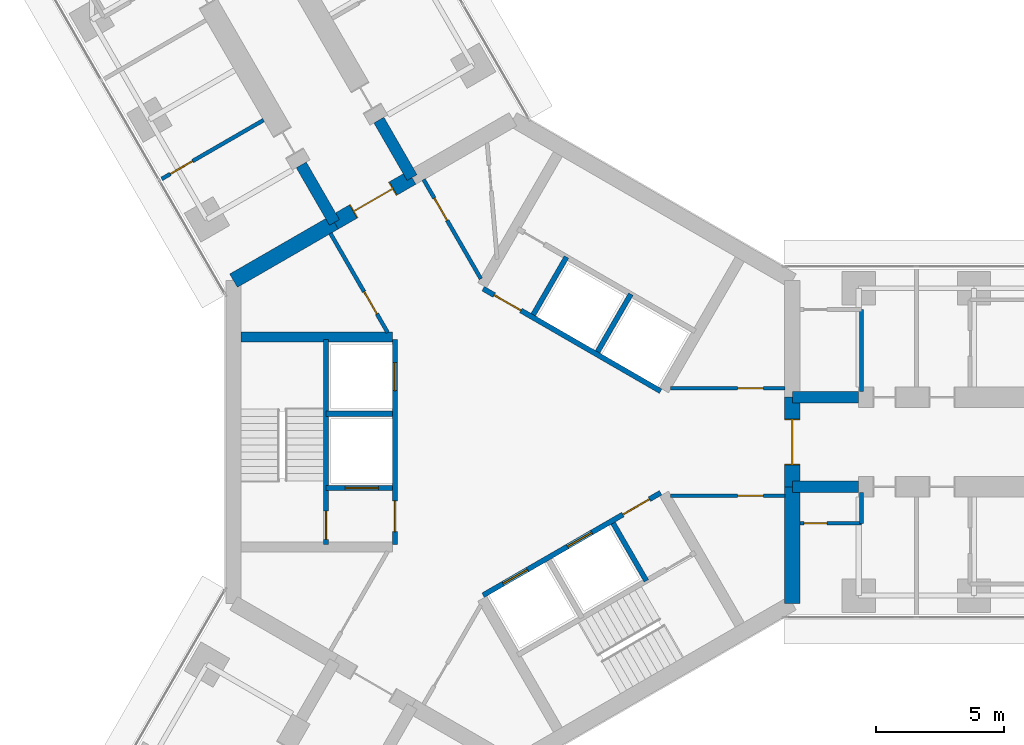
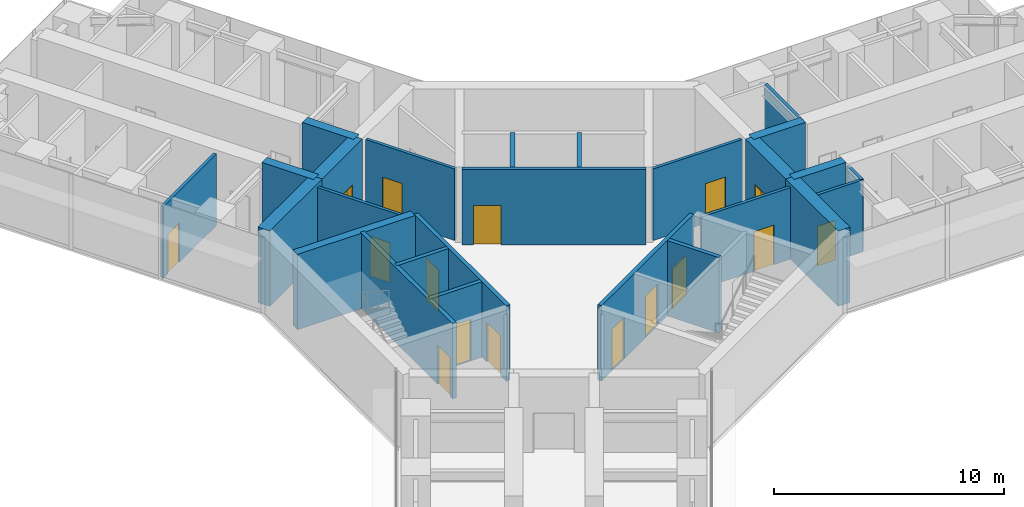
# One storey, part 16 of 22: 26 walls, 16 doors, 16 openings.
"""IFC4 building model written with IfcOpenShell, lengths in metres."""

import ifcopenshell
import ifcopenshell.guid

model = None  # the IFC model being written
_history = None  # IfcOwnerHistory: only IFC2X3 demands one
_inside = {}  # id of a spatial element -> (the spatial element, [elements in it])
_under = {}  # id of a project, library or spatial element -> (it, [spatial elements below it])
_declared = {}  # id of a project -> (the project, [libraries it declares])
_typed = {}  # id of a type object -> (the type object, [elements of that type])
_made_of = {}  # id of a material, layer set ... -> (it, [elements and type objects made of it])


def new_model(schema):
    """Start an empty IFC model of exactly this schema.

    Asked for "IFC4X3", IfcOpenShell would pick the latest addendum, in which some entities
    have other attributes; the version numbers below select the first issue.
    IFC2X3 requires an IfcOwnerHistory on every rooted entity: one is made here for all.
    """
    global model, _history
    if schema == "IFC4X3":
        model = ifcopenshell.file(schema_version=(4, 3, 0, 0))
    else:
        model = ifcopenshell.file(schema=schema)
    _inside.clear()
    _under.clear()
    _declared.clear()
    _typed.clear()
    _made_of.clear()
    _history = None
    if model.schema == "IFC2X3":
        org = make("IfcOrganization", Name="unknown")
        user = make(
            "IfcPersonAndOrganization",
            ThePerson=make("IfcPerson", FamilyName="unknown"),
            TheOrganization=org,
        )
        app = make(
            "IfcApplication",
            ApplicationDeveloper=org,
            Version="unknown",
            ApplicationFullName="unknown",
            ApplicationIdentifier="unknown",
        )
        _history = make(
            "IfcOwnerHistory",
            OwningUser=user,
            OwningApplication=app,
            ChangeAction="ADDED",
            CreationDate=0,
        )
    return model


def make(cls, **values):
    """One entity of the class cls with the attributes given. An attribute that is None is left unset."""
    return model.create_entity(
        cls, **{name: value for name, value in values.items() if value is not None}
    )


def rooted(cls, **values):
    """An entity with a GlobalId (a new one), such as an element, a storey or a relation."""
    return make(cls, GlobalId=ifcopenshell.guid.new(), OwnerHistory=_history, **values)


def si_unit(unit_type, name, prefix=None):
    """IfcSIUnit, for example si_unit("LENGTHUNIT", "METRE", prefix="MILLI")."""
    return make("IfcSIUnit", UnitType=unit_type, Prefix=prefix, Name=name)


def assignment(units):
    """IfcUnitAssignment: the units of a project."""
    return None if units is None else make("IfcUnitAssignment", Units=units)


def point(xyz):
    """IfcCartesianPoint."""
    return None if xyz is None else make("IfcCartesianPoint", Coordinates=xyz)


def direction(xyz):
    """IfcDirection."""
    return None if xyz is None else make("IfcDirection", DirectionRatios=xyz)


def frame(location, z_axis=None, x_axis=None):
    """IfcAxis2Placement3D, a coordinate frame: its origin and axes. An axis left out is left unset."""
    return make(
        "IfcAxis2Placement3D",
        Location=point(location),
        Axis=direction(z_axis),
        RefDirection=direction(x_axis),
    )


def frame_2d(location, x_axis=None):
    """IfcAxis2Placement2D, a coordinate frame in the plane: its origin and x axis."""
    return make(
        "IfcAxis2Placement2D", Location=point(location), RefDirection=direction(x_axis)
    )


def origin():
    """The frame at (0, 0, 0) with its axes left unset."""
    return frame((0.0, 0.0, 0.0))


def place(relative_to, where):
    """IfcLocalPlacement: puts the frame where relative to a parent placement (None: the world)."""
    return make(
        "IfcLocalPlacement", PlacementRelTo=relative_to, RelativePlacement=where
    )


def context(
    kind, dimensions, precision=None, world=None, true_north=None, identifier=None
):
    """IfcGeometricRepresentationContext, for example the 3D "Model" context."""
    return make(
        "IfcGeometricRepresentationContext",
        ContextIdentifier=identifier,
        ContextType=kind,
        CoordinateSpaceDimension=dimensions,
        Precision=precision,
        WorldCoordinateSystem=world,
        TrueNorth=true_north,
    )


def subcontext(parent, identifier, kind, view, scale=None):
    """IfcGeometricRepresentationSubContext, for example "Body" below "Model"."""
    return make(
        "IfcGeometricRepresentationSubContext",
        ContextIdentifier=identifier,
        ContextType=kind,
        ParentContext=parent,
        TargetScale=scale,
        TargetView=view,
    )


def project(units=None, contexts=None):
    """IfcProject with its units and contexts."""
    return rooted(
        "IfcProject",
        Name="project",
        RepresentationContexts=contexts,
        UnitsInContext=assignment(units),
    )


def spatial(cls, under=None, at=None, **own):
    """A site, building, storey or space (cls), placed at a placement, below another one or the project."""
    s = rooted(cls, ObjectPlacement=at, **own)
    if under is not None:
        _under.setdefault(under.id(), (under, []))[1].append(s)
    return s


def profile(cls, at=None, kind="AREA", **sizes):
    """A parametric profile (cls). Its sizes go by their IFC names, for example OverallWidth=200.0."""
    return make(cls, ProfileType=kind, Position=at, **sizes)


def rectangle(**sizes):
    """IfcRectangleProfileDef."""
    return profile("IfcRectangleProfileDef", **sizes)


def extrude(swept, where, along, depth):
    """IfcExtrudedAreaSolid: the profile swept, set in the frame where, extruded along a direction by depth."""
    return make(
        "IfcExtrudedAreaSolid",
        SweptArea=swept,
        Position=where,
        ExtrudedDirection=direction(along),
        Depth=depth,
    )


def shape(context_of_items, identifier, shape_type, items):
    """IfcShapeRepresentation: the items that make up one representation, for example the "Body"."""
    return make(
        "IfcShapeRepresentation",
        ContextOfItems=context_of_items,
        RepresentationIdentifier=identifier,
        RepresentationType=shape_type,
        Items=items,
    )


def material(Name=None, Category=None):
    """IfcMaterial."""
    return make("IfcMaterial", Name=Name, Category=Category)


def layer(
    of_material, thickness, ventilated=None, Name=None, Category=None, Priority=None
):
    """IfcMaterialLayer: one layer of a wall or slab, of a material (None: an air gap)."""
    return make(
        "IfcMaterialLayer",
        Material=of_material,
        LayerThickness=thickness,
        IsVentilated=ventilated,
        Name=Name,
        Category=Category,
        Priority=Priority,
    )


def layer_set(layers, Name=None):
    """IfcMaterialLayerSet."""
    return make("IfcMaterialLayerSet", MaterialLayers=layers, LayerSetName=Name)


def made_of(thing, what):
    """Note that an element or type object is made of a material, layer set ...; save() writes the relation."""
    if what is not None:
        _made_of.setdefault(what.id(), (what, []))[1].append(thing)
    return thing


def type_object(cls, material=None, **own):
    """A type object (cls), such as IfcWallType, which elements share."""
    return made_of(rooted(cls, **own), material)


def element(
    cls,
    number,
    at=None,
    inside=None,
    cuts=None,
    type_object=None,
    material=None,
    context=None,
    identifier="Body",
    shape_type=None,
    held_by="IfcProductDefinitionShape",
    body=None,
    shapes=None,
    **own,
):
    """One element of the class cls, such as IfcWall. Its Tag is "e" and its number.

    at: its placement. inside: the storey or other place that contains it. cuts: it is an
    opening in that element (IfcRelVoidsElement). A single representation is given by context,
    identifier, shape_type and body (its items); several are given by shapes. held_by: the class
    of the entity that holds the representations. save() writes the other relations.
    """
    e = rooted(cls, Tag="e%d" % number, ObjectPlacement=at, **own)
    if body is not None:
        shapes = [shape(context, identifier, shape_type, body)]
    if shapes is not None:
        e.Representation = make(held_by, Representations=shapes)
    if inside is not None:
        _inside.setdefault(inside.id(), (inside, []))[1].append(e)
    if cuts is not None:
        rooted(
            "IfcRelVoidsElement", RelatingBuildingElement=cuts, RelatedOpeningElement=e
        )
    if type_object is not None:
        _typed.setdefault(type_object.id(), (type_object, []))[1].append(e)
    return made_of(e, material)


def fill(opening, filler):
    """IfcRelFillsElement: the door or window that sits in an opening."""
    return rooted(
        "IfcRelFillsElement",
        RelatingOpeningElement=opening,
        RelatedBuildingElement=filler,
    )


def aggregate(whole, parts):
    """IfcRelAggregates: a whole, such as a stair, and the parts it consists of."""
    return rooted("IfcRelAggregates", RelatingObject=whole, RelatedObjects=parts)


def save(model, path):
    """Write the relations noted so far, then the file.

    IfcRelAggregates (storeys below a building ...), IfcRelContainedInSpatialStructure (elements
    in a storey), IfcRelDefinesByType, IfcRelAssociatesMaterial and IfcRelDeclares: one each for
    every whole, place, type object, material and project.
    """
    for whole, parts in _under.values():
        aggregate(whole, parts)
    for where, things in _inside.values():
        rooted(
            "IfcRelContainedInSpatialStructure",
            RelatedElements=things,
            RelatingStructure=where,
        )
    for kind, things in _typed.values():
        rooted("IfcRelDefinesByType", RelatedObjects=things, RelatingType=kind)
    for what, things in _made_of.values():
        rooted("IfcRelAssociatesMaterial", RelatedObjects=things, RelatingMaterial=what)
    for by, libraries in _declared.values():
        rooted("IfcRelDeclares", RelatingContext=by, RelatedDefinitions=libraries)
    model.write(path)


model = new_model("IFC4")

# Units and contexts
model_context = context("Model", 3, precision=1e-05, world=origin(), true_north=direction((0.0, 1.0)))
body_context = subcontext(model_context, "Body", "Model", "MODEL_VIEW")
ifc_project = project(units=[si_unit("LENGTHUNIT", "METRE"), si_unit("AREAUNIT", "SQUARE_METRE"), si_unit("VOLUMEUNIT", "CUBIC_METRE"), si_unit("PLANEANGLEUNIT", "RADIAN"), si_unit("MASSUNIT", "GRAM", prefix="KILO")], contexts=[model_context])

# Site, building, storey
site_placement = place(None, origin())
site = spatial("IfcSite", under=ifc_project, at=site_placement, CompositionType="ELEMENT")
building_placement = place(site_placement, origin())
building = spatial("IfcBuilding", under=site, at=building_placement, Name="Upepo Twin Towers", CompositionType="ELEMENT")
storey_placement = place(building_placement, frame((0.0, 0.0, 137.5)))
storey = spatial("IfcBuildingStorey", under=building, at=storey_placement, Name="L33", CompositionType="ELEMENT", Elevation=137.5)

# Walls
ifc_material_1 = material(Name="Concrete C60/75", Category="concrete")
ifc_layer_1 = layer(ifc_material_1, 0.449951171875)
ifc_layer_set_1 = layer_set([ifc_layer_1], Name="Concrete C60/75")
wall_type_1 = type_object("IfcWallType", Name="Buttress wall 450 RC", PredefinedType="SHEAR", material=ifc_layer_set_1)
for number, where, z_axis, x_axis, name in (
    (1, (10.908447265625, 1.75, 0.0), (0.0, 0.0, 1.0), (1.0, 0.0, 0.0), "T1 wing A buttress wall L"),
    (2, (10.908447265625, -1.75, 0.0), (0.0, 0.0, 1.0), (1.0, 0.0, 0.0), "T1 wing A buttress wall R"),
):
    element("IfcWall", number, at=place(storey_placement, frame(where, z_axis=z_axis, x_axis=x_axis)), inside=storey, type_object=wall_type_1, Name=name, PredefinedType="SHEAR", context=body_context, shape_type="SweptSolid", body=[
        extrude(rectangle(XDim=2.591552734375, YDim=0.449951171875, at=frame_2d((1.2958984375, 0.0))), origin(), (0.0, 0.0, 1.0), 4.0),
    ])
for number, where, z_axis, x_axis, name in (
    (3, (-6.9697265625, 8.57177734375, 0.0), (0.0, 0.0, 1.0), (-0.499988811324, 0.866031863473, 0.0), "T1 wing B buttress wall L"),
    (4, (-3.938720703125, 10.32177734375, 0.0), (0.0, 0.0, 1.0), (-0.499918158782, 0.866072649678, 0.0), "T1 wing B buttress wall R"),
):
    element("IfcWall", number, at=place(storey_placement, frame(where, z_axis=z_axis, x_axis=x_axis)), inside=storey, type_object=wall_type_1, Name=name, PredefinedType="SHEAR", context=body_context, shape_type="SweptSolid", body=[
        extrude(rectangle(XDim=2.591796875, YDim=0.449951171875, at=frame_2d((1.2958984375, 0.0))), origin(), (0.0, 0.0, 1.0), 4.0),
    ])
ifc_material_2 = material(Name="Concrete C60/75", Category="concrete")
ifc_layer_2 = layer(ifc_material_2, 0.60009765625)
ifc_layer_set_2 = layer_set([ifc_layer_2], Name="Concrete C60/75")
wall_type_2 = type_object("IfcWallType", Name="Core wall 600 RC", PredefinedType="SHEAR", material=ifc_layer_set_2)
wall_1_placement = place(storey_placement, frame((10.908447265625, -6.2978515625, 0.0), z_axis=(0.0, 0.0, 1.0), x_axis=(0.0, 1.0, 0.0)))
element("IfcWall", 5, at=wall_1_placement, inside=storey, type_object=wall_type_2, Name="T1 core wall 000 R", PredefinedType="SHEAR", context=body_context, shape_type="SweptSolid", body=[
    extrude(rectangle(XDim=4.5478515625, YDim=0.60009765625, at=frame_2d((2.27392578125, 0.0))), origin(), (0.0, 0.0, 1.0), 4.0),
])

# Wall, opening, door
wall_2_placement = place(storey_placement, frame((10.908447265625, -1.75, 0.0), z_axis=(0.0, 0.0, 1.0), x_axis=(0.0, 1.0, 0.0)))
wall_2 = element("IfcWall", 6, at=wall_2_placement, inside=storey, type_object=wall_type_2, Name="T1 core wall 000", PredefinedType="SHEAR", context=body_context, shape_type="SweptSolid", body=[
    extrude(rectangle(XDim=3.5, YDim=0.60009765625, at=frame_2d((1.75, 0.0))), origin(), (0.0, 0.0, 1.0), 4.0),
])
opening_1_placement = place(wall_2_placement, frame((0.85009765625, 0.0, 0.0)))
opening_1 = element("IfcOpeningElement", 7, at=opening_1_placement, cuts=wall_2, Name="Opening D2", PredefinedType="OPENING", context=body_context, shape_type="SweptSolid", body=[
    extrude(rectangle(XDim=1.800048828125, YDim=2.10009765625, at=frame_2d((0.89990234375, 1.050048828125))), frame((0.0, 0.31005859375, 0.0), z_axis=(0.0, -1.0, 0.0), x_axis=(1.0, 0.0, 0.0)), (0.0, 0.0, 1.0), 0.6201171875),
])
ifc_material_3 = material(Name="Timber doorset", Category="wood")
door_type_1 = type_object("IfcDoorType", Name="Corridor double door 1800 FD60", OperationType="DOUBLE_DOOR_DOUBLE_SWING", PredefinedType="DOOR", material=ifc_material_3)
door_1_placement = place(opening_1_placement, origin())
door_1 = element("IfcDoor", 8, at=door_1_placement, inside=storey, type_object=door_type_1, Name="T1 L33 wing A corridor door", OperationType="DOUBLE_DOOR_DOUBLE_SWING", OverallHeight=2.10009765625, OverallWidth=1.800048828125, PredefinedType="DOOR", context=body_context, shape_type="SweptSolid", body=[
    extrude(rectangle(XDim=1.720048828125, YDim=2.06009765625, at=frame_2d((0.89990234375, 1.030029296875))), frame((0.0, 0.02490234375, 0.0), z_axis=(0.0, -1.0, 0.0), x_axis=(1.0, 0.0, 0.0)), (0.0, 0.0, 1.0), 0.050048828125),
    extrude(rectangle(XDim=0.04, YDim=2.10009765625, at=frame_2d((0.02001953125, 1.050048828125))), frame((0.0, 0.2998046875, 0.0), z_axis=(0.0, -1.0, 0.0), x_axis=(1.0, 0.0, 0.0)), (0.0, 0.0, 1.0), 0.599609375),
    extrude(rectangle(XDim=0.04, YDim=2.10009765625, at=frame_2d((1.780029296875, 1.050048828125))), frame((0.0, 0.2998046875, 0.0), z_axis=(0.0, -1.0, 0.0), x_axis=(1.0, 0.0, 0.0)), (0.0, 0.0, 1.0), 0.599609375),
    extrude(rectangle(XDim=1.720048828125, YDim=0.04, at=frame_2d((0.89990234375, 2.080078125))), frame((0.0, 0.2998046875, 0.0), z_axis=(0.0, -1.0, 0.0), x_axis=(1.0, 0.0, 0.0)), (0.0, 0.0, 1.0), 0.599609375),
])
fill(opening_1, door_1)

wall_3_placement = place(storey_placement, frame((-3.938720703125, 10.32177734375, 0.0), z_axis=(0.0, 0.0, 1.0), x_axis=(-0.866019471182, -0.500010275428, 0.0)))
wall_3 = element("IfcWall", 9, at=wall_3_placement, inside=storey, type_object=wall_type_2, Name="T1 core wall 120", PredefinedType="SHEAR", context=body_context, shape_type="SweptSolid", body=[
    extrude(rectangle(XDim=3.5, YDim=0.60009765625, at=frame_2d((1.75, 0.0))), origin(), (0.0, 0.0, 1.0), 4.0),
])
opening_2_placement = place(wall_3_placement, frame((0.85009765625, 0.0, 0.0)))
opening_2 = element("IfcOpeningElement", 10, at=opening_2_placement, cuts=wall_3, Name="Opening D2", PredefinedType="OPENING", context=body_context, shape_type="SweptSolid", body=[
    extrude(rectangle(XDim=1.800048828125, YDim=2.10009765625, at=frame_2d((0.89990234375, 1.050048828125))), frame((0.0, 0.31005859375, 0.0), z_axis=(0.0, -1.0, 0.0), x_axis=(1.0, 0.0, 0.0)), (0.0, 0.0, 1.0), 0.6201171875),
])
door_2_placement = place(opening_2_placement, origin())
door_2 = element("IfcDoor", 11, at=door_2_placement, inside=storey, type_object=door_type_1, Name="T1 L33 wing B corridor door", OperationType="DOUBLE_DOOR_DOUBLE_SWING", OverallHeight=2.10009765625, OverallWidth=1.800048828125, PredefinedType="DOOR", context=body_context, shape_type="SweptSolid", body=[
    extrude(rectangle(XDim=1.720048828125, YDim=2.06009765625, at=frame_2d((0.89990234375, 1.030029296875))), frame((0.0, 0.02490234375, 0.0), z_axis=(0.0, -1.0, 0.0), x_axis=(1.0, 0.0, 0.0)), (0.0, 0.0, 1.0), 0.050048828125),
    extrude(rectangle(XDim=0.04, YDim=2.10009765625, at=frame_2d((0.02001953125, 1.050048828125))), frame((0.0, 0.2998046875, 0.0), z_axis=(0.0, -1.0, 0.0), x_axis=(1.0, 0.0, 0.0)), (0.0, 0.0, 1.0), 0.599609375),
    extrude(rectangle(XDim=0.04, YDim=2.10009765625, at=frame_2d((1.780029296875, 1.050048828125))), frame((0.0, 0.2998046875, 0.0), z_axis=(0.0, -1.0, 0.0), x_axis=(1.0, 0.0, 0.0)), (0.0, 0.0, 1.0), 0.599609375),
    extrude(rectangle(XDim=1.720048828125, YDim=0.04, at=frame_2d((0.89990234375, 2.080078125))), frame((0.0, 0.2998046875, 0.0), z_axis=(0.0, -1.0, 0.0), x_axis=(1.0, 0.0, 0.0)), (0.0, 0.0, 1.0), 0.599609375),
])
fill(opening_2, door_2)

# Wall
wall_4_placement = place(storey_placement, frame((-6.9697265625, 8.57177734375, 0.0), z_axis=(0.0, 0.0, 1.0), x_axis=(-0.866034513004, -0.499984222037, 0.0)))
element("IfcWall", 12, at=wall_4_placement, inside=storey, type_object=wall_type_2, Name="T1 core wall 120 L", PredefinedType="SHEAR", context=body_context, shape_type="SweptSolid", body=[
    extrude(rectangle(XDim=4.548095703125, YDim=0.60009765625, at=frame_2d((2.27392578125, 0.0))), origin(), (0.0, 0.0, 1.0), 4.0),
])

# Wall, opening, door
ifc_material_4 = material(Name="Concrete C40/50", Category="concrete")
ifc_layer_3 = layer(ifc_material_4, 0.199951171875)
ifc_layer_set_3 = layer_set([ifc_layer_3], Name="Concrete C40/50")
wall_type_3 = type_object("IfcWallType", Name="Shaft wall 200 RC", PredefinedType="SHEAR", material=ifc_layer_set_3)
wall_5_placement = place(storey_placement, frame((5.76416015625, 1.983642578125, 0.0), z_axis=(0.0, 0.0, 1.0), x_axis=(-0.866026010844, 0.49999894854, 0.0)))
wall_5 = element("IfcWall", 13, at=wall_5_placement, inside=storey, type_object=wall_type_3, Name="T1 core W60 front wall", PredefinedType="SHEAR", context=body_context, shape_type="SweptSolid", body=[
    extrude(rectangle(XDim=8.0, YDim=0.199951171875, at=frame_2d((4.0, 0.0))), origin(), (0.0, 0.0, 1.0), 4.0),
])
opening_3_placement = place(wall_5_placement, frame((6.300048828125, 0.0, 0.0)))
opening_3 = element("IfcOpeningElement", 14, at=opening_3_placement, cuts=wall_5, Name="Opening D4", PredefinedType="OPENING", context=body_context, shape_type="SweptSolid", body=[
    extrude(rectangle(XDim=1.199951171875, YDim=2.10009765625, at=frame_2d((0.60009765625, 1.050048828125))), frame((0.0, 0.10986328125, 0.0), z_axis=(0.0, -1.0, 0.0), x_axis=(1.0, 0.0, 0.0)), (0.0, 0.0, 1.0), 0.219970703125),
])
ifc_material_5 = material(Name="Timber doorset", Category="wood")
door_type_2 = type_object("IfcDoorType", Name="Lobby door 1200 FD60", OperationType="SINGLE_SWING_LEFT", PredefinedType="DOOR", material=ifc_material_5)
door_3_placement = place(opening_3_placement, origin())
door_3 = element("IfcDoor", 15, at=door_3_placement, inside=storey, type_object=door_type_2, Name="T1 L33 W60 lobby door", OperationType="SINGLE_SWING_RIGHT", OverallHeight=2.10009765625, OverallWidth=1.199951171875, PredefinedType="DOOR", context=body_context, shape_type="SweptSolid", body=[
    extrude(rectangle(XDim=1.199951171875, YDim=2.10009765625, at=frame_2d((0.60009765625, 1.050048828125))), frame((0.0, 0.02490234375, 0.0), z_axis=(0.0, -1.0, 0.0), x_axis=(1.0, 0.0, 0.0)), (0.0, 0.0, 1.0), 0.050048828125),
])
fill(opening_3, door_3)

# Walls
for number, where, z_axis, x_axis, name in (
    (16, (3.302734375, 3.520263671875, 0.0), (0.0, 0.0, 1.0), (0.499936506574, 0.866062058628, 0.0), "T1 core W60 shaft divider"),
    (17, (0.791259765625, 4.97021484375, 0.0), (0.0, 0.0, 1.0), (0.499936506574, 0.866062058628, 0.0), "T1 core W60 lobby wall"),
):
    element("IfcWall", number, at=place(storey_placement, frame(where, z_axis=z_axis, x_axis=x_axis)), inside=storey, type_object=wall_type_3, Name=name, PredefinedType="SHEAR", context=body_context, shape_type="SweptSolid", body=[
        extrude(rectangle(XDim=2.599853515625, YDim=0.199951171875, at=frame_2d((1.2998046875, 0.0))), origin(), (0.0, 0.0, 1.0), 4.0),
    ])

# Wall, openings, doors
wall_6_placement = place(storey_placement, frame((-4.60009765625, 4.0, 0.0), z_axis=(0.0, 0.0, 1.0), x_axis=(0.0, -1.0, 0.0)))
wall_6 = element("IfcWall", 18, at=wall_6_placement, inside=storey, type_object=wall_type_3, Name="T1 core W180 front wall", PredefinedType="SHEAR", context=body_context, shape_type="SweptSolid", body=[
    extrude(rectangle(XDim=8.0, YDim=0.199951171875, at=frame_2d((4.0, 0.0))), origin(), (0.0, 0.0, 1.0), 4.0),
])
opening_4_placement = place(wall_6_placement, frame((6.300048828125, 0.0, 0.0)))
opening_4 = element("IfcOpeningElement", 19, at=opening_4_placement, cuts=wall_6, Name="Opening D4", PredefinedType="OPENING", context=body_context, shape_type="SweptSolid", body=[
    extrude(rectangle(XDim=1.199951171875, YDim=2.10009765625, at=frame_2d((0.60009765625, 1.050048828125))), frame((0.0, 0.10986328125, 0.0), z_axis=(0.0, -1.0, 0.0), x_axis=(1.0, 0.0, 0.0)), (0.0, 0.0, 1.0), 0.219970703125),
])
opening_5_placement = place(wall_6_placement, frame((0.89990234375, 0.0, 0.0)))
opening_5 = element("IfcOpeningElement", 20, at=opening_5_placement, cuts=wall_6, Name="Opening LD1", PredefinedType="OPENING", context=body_context, shape_type="SweptSolid", body=[
    extrude(rectangle(XDim=1.10009765625, YDim=2.199951171875, at=frame_2d((0.550048828125, 1.10009765625))), frame((0.0, 0.10986328125, 0.0), z_axis=(0.0, -1.0, 0.0), x_axis=(1.0, 0.0, 0.0)), (0.0, 0.0, 1.0), 0.219970703125),
])
ifc_material_6 = material(Name="Steel doorset", Category="steel")
door_type_3 = type_object("IfcDoorType", Name="Lift landing door 1100", OperationType="DOUBLE_DOOR_SLIDING", PredefinedType="DOOR", material=ifc_material_6)
door_4_placement = place(opening_5_placement, origin())
door_4 = element("IfcDoor", 21, at=door_4_placement, inside=storey, type_object=door_type_3, Name="T1 L33 lift SV1 landing door", OperationType="DOUBLE_DOOR_SLIDING", OverallHeight=2.199951171875, OverallWidth=1.10009765625, PredefinedType="DOOR", context=body_context, shape_type="SweptSolid", body=[
    extrude(rectangle(XDim=1.10009765625, YDim=2.199951171875, at=frame_2d((0.550048828125, 1.10009765625))), frame((0.0, 0.02490234375, 0.0), z_axis=(0.0, -1.0, 0.0), x_axis=(1.0, 0.0, 0.0)), (0.0, 0.0, 1.0), 0.050048828125),
])
fill(opening_5, door_4)
door_5_placement = place(opening_4_placement, origin())
door_5 = element("IfcDoor", 22, at=door_5_placement, inside=storey, type_object=door_type_2, Name="T1 L33 W180 lobby door", OperationType="SINGLE_SWING_RIGHT", OverallHeight=2.10009765625, OverallWidth=1.199951171875, PredefinedType="DOOR", context=body_context, shape_type="SweptSolid", body=[
    extrude(rectangle(XDim=1.199951171875, YDim=2.10009765625, at=frame_2d((0.60009765625, 1.050048828125))), frame((0.0, 0.02490234375, 0.0), z_axis=(0.0, -1.0, 0.0), x_axis=(1.0, 0.0, 0.0)), (0.0, 0.0, 1.0), 0.050048828125),
])
fill(opening_4, door_5)

# Wall
wall_7_placement = place(storey_placement, frame((-4.699951171875, 1.10009765625, 0.0), z_axis=(0.0, 0.0, 1.0), x_axis=(-1.0, 0.0, 0.0)))
element("IfcWall", 23, at=wall_7_placement, inside=storey, type_object=wall_type_3, Name="T1 core W180 shaft divider", PredefinedType="SHEAR", context=body_context, shape_type="SweptSolid", body=[
    extrude(rectangle(XDim=2.60009765625, YDim=0.199951171875, at=frame_2d((1.300048828125, 0.0))), origin(), (0.0, 0.0, 1.0), 4.0),
])

# Wall, opening, door
wall_8_placement = place(storey_placement, frame((-4.699951171875, -1.800048828125, 0.0), z_axis=(0.0, 0.0, 1.0), x_axis=(-1.0, 0.0, 0.0)))
wall_8 = element("IfcWall", 24, at=wall_8_placement, inside=storey, type_object=wall_type_3, Name="T1 core W180 lobby wall", PredefinedType="SHEAR", context=body_context, shape_type="SweptSolid", body=[
    extrude(rectangle(XDim=2.60009765625, YDim=0.199951171875, at=frame_2d((1.300048828125, 0.0))), origin(), (0.0, 0.0, 1.0), 4.0),
])
opening_6_placement = place(wall_8_placement, frame((0.550048828125, 0.0, 0.0)))
opening_6 = element("IfcOpeningElement", 25, at=opening_6_placement, cuts=wall_8, Name="Opening LD2", PredefinedType="OPENING", context=body_context, shape_type="SweptSolid", body=[
    extrude(rectangle(XDim=1.300048828125, YDim=2.199951171875, at=frame_2d((0.64990234375, 1.10009765625))), frame((0.0, 0.10986328125, 0.0), z_axis=(0.0, -1.0, 0.0), x_axis=(1.0, 0.0, 0.0)), (0.0, 0.0, 1.0), 0.219970703125),
])
ifc_material_7 = material(Name="Steel doorset", Category="steel")
door_type_4 = type_object("IfcDoorType", Name="Firefighting lift landing door 1300", OperationType="DOUBLE_DOOR_SLIDING", PredefinedType="DOOR", material=ifc_material_7)
door_6_placement = place(opening_6_placement, origin())
door_6 = element("IfcDoor", 26, at=door_6_placement, inside=storey, type_object=door_type_4, Name="T1 L33 firefighting lift landing door", OperationType="DOUBLE_DOOR_SLIDING", OverallHeight=2.199951171875, OverallWidth=1.300048828125, PredefinedType="DOOR", context=body_context, shape_type="SweptSolid", body=[
    extrude(rectangle(XDim=1.300048828125, YDim=2.199951171875, at=frame_2d((0.64990234375, 1.10009765625))), frame((0.0, 0.02490234375, 0.0), z_axis=(0.0, -1.0, 0.0), x_axis=(1.0, 0.0, 0.0)), (0.0, 0.0, 1.0), 0.050048828125),
])
fill(opening_6, door_6)

wall_9_placement = place(storey_placement, frame((-7.300048828125, 4.0, 0.0), z_axis=(0.0, 0.0, 1.0), x_axis=(0.0, -1.0, 0.0)))
wall_9 = element("IfcWall", 27, at=wall_9_placement, inside=storey, type_object=wall_type_3, Name="T1 core W180 stair wall", PredefinedType="SHEAR", context=body_context, shape_type="SweptSolid", body=[
    extrude(rectangle(XDim=8.0, YDim=0.199951171875, at=frame_2d((4.0, 0.0))), origin(), (0.0, 0.0, 1.0), 4.0),
])
opening_7_placement = place(wall_9_placement, frame((6.699951171875, 0.0, 0.0)))
opening_7 = element("IfcOpeningElement", 28, at=opening_7_placement, cuts=wall_9, Name="Opening D3", PredefinedType="OPENING", context=body_context, shape_type="SweptSolid", body=[
    extrude(rectangle(XDim=1.10009765625, YDim=2.10009765625, at=frame_2d((0.550048828125, 1.050048828125))), frame((0.0, 0.10986328125, 0.0), z_axis=(0.0, -1.0, 0.0), x_axis=(1.0, 0.0, 0.0)), (0.0, 0.0, 1.0), 0.219970703125),
])
ifc_material_8 = material(Name="Timber doorset", Category="wood")
door_type_5 = type_object("IfcDoorType", Name="Stair door 1100 FD60", OperationType="SINGLE_SWING_LEFT", PredefinedType="DOOR", material=ifc_material_8)
door_7_placement = place(opening_7_placement, origin())
door_7 = element("IfcDoor", 29, at=door_7_placement, inside=storey, type_object=door_type_5, Name="T1 L33 stair door", OperationType="SINGLE_SWING_RIGHT", OverallHeight=2.10009765625, OverallWidth=1.10009765625, PredefinedType="DOOR", context=body_context, shape_type="SweptSolid", body=[
    extrude(rectangle(XDim=1.10009765625, YDim=2.10009765625, at=frame_2d((0.550048828125, 1.050048828125))), frame((0.0, 0.02490234375, 0.0), z_axis=(0.0, -1.0, 0.0), x_axis=(1.0, 0.0, 0.0)), (0.0, 0.0, 1.0), 0.050048828125),
])
fill(opening_7, door_7)

# Wall, openings, doors
wall_10_placement = place(storey_placement, frame((-1.1640625, -5.983642578125, 0.0), z_axis=(0.0, 0.0, 1.0), x_axis=(0.866026010844, 0.49999894854, 0.0)))
wall_10 = element("IfcWall", 30, at=wall_10_placement, inside=storey, type_object=wall_type_3, Name="T1 core W300 front wall", PredefinedType="SHEAR", context=body_context, shape_type="SweptSolid", body=[
    extrude(rectangle(XDim=8.0, YDim=0.199951171875, at=frame_2d((4.0, 0.0))), origin(), (0.0, 0.0, 1.0), 4.0),
])
opening_8_placement = place(wall_10_placement, frame((6.300048828125, 0.0, 0.0)))
opening_8 = element("IfcOpeningElement", 31, at=opening_8_placement, cuts=wall_10, Name="Opening D4", PredefinedType="OPENING", context=body_context, shape_type="SweptSolid", body=[
    extrude(rectangle(XDim=1.199951171875, YDim=2.10009765625, at=frame_2d((0.60009765625, 1.050048828125))), frame((0.0, 0.10986328125, 0.0), z_axis=(0.0, -1.0, 0.0), x_axis=(1.0, 0.0, 0.0)), (0.0, 0.0, 1.0), 0.219970703125),
])
opening_9_placement = place(wall_10_placement, frame((0.89990234375, 0.0, 0.0)))
opening_9 = element("IfcOpeningElement", 32, at=opening_9_placement, cuts=wall_10, Name="Opening LD1", PredefinedType="OPENING", context=body_context, shape_type="SweptSolid", body=[
    extrude(rectangle(XDim=1.10009765625, YDim=2.199951171875, at=frame_2d((0.550048828125, 1.10009765625))), frame((0.0, 0.10986328125, 0.0), z_axis=(0.0, -1.0, 0.0), x_axis=(1.0, 0.0, 0.0)), (0.0, 0.0, 1.0), 0.219970703125),
])
opening_10_placement = place(wall_10_placement, frame((3.800048828125, 0.0, 0.0)))
opening_10 = element("IfcOpeningElement", 33, at=opening_10_placement, cuts=wall_10, Name="Opening LD1", PredefinedType="OPENING", context=body_context, shape_type="SweptSolid", body=[
    extrude(rectangle(XDim=1.10009765625, YDim=2.199951171875, at=frame_2d((0.550048828125, 1.10009765625))), frame((0.0, 0.10986328125, 0.0), z_axis=(0.0, -1.0, 0.0), x_axis=(1.0, 0.0, 0.0)), (0.0, 0.0, 1.0), 0.219970703125),
])
door_8_placement = place(opening_9_placement, origin())
door_8 = element("IfcDoor", 34, at=door_8_placement, inside=storey, type_object=door_type_3, Name="T1 L33 lift ML1 landing door", OperationType="DOUBLE_DOOR_SLIDING", OverallHeight=2.199951171875, OverallWidth=1.10009765625, PredefinedType="DOOR", context=body_context, shape_type="SweptSolid", body=[
    extrude(rectangle(XDim=1.10009765625, YDim=2.199951171875, at=frame_2d((0.550048828125, 1.10009765625))), frame((0.0, 0.02490234375, 0.0), z_axis=(0.0, -1.0, 0.0), x_axis=(1.0, 0.0, 0.0)), (0.0, 0.0, 1.0), 0.050048828125),
])
fill(opening_9, door_8)
door_9_placement = place(opening_10_placement, origin())
door_9 = element("IfcDoor", 35, at=door_9_placement, inside=storey, type_object=door_type_3, Name="T1 L33 lift ML2 landing door", OperationType="DOUBLE_DOOR_SLIDING", OverallHeight=2.199951171875, OverallWidth=1.10009765625, PredefinedType="DOOR", context=body_context, shape_type="SweptSolid", body=[
    extrude(rectangle(XDim=1.10009765625, YDim=2.199951171875, at=frame_2d((0.550048828125, 1.10009765625))), frame((0.0, 0.02490234375, 0.0), z_axis=(0.0, -1.0, 0.0), x_axis=(1.0, 0.0, 0.0)), (0.0, 0.0, 1.0), 0.050048828125),
])
fill(opening_10, door_9)
door_10_placement = place(opening_8_placement, origin())
door_10 = element("IfcDoor", 36, at=door_10_placement, inside=storey, type_object=door_type_2, Name="T1 L33 W300 lobby door", OperationType="SINGLE_SWING_RIGHT", OverallHeight=2.10009765625, OverallWidth=1.199951171875, PredefinedType="DOOR", context=body_context, shape_type="SweptSolid", body=[
    extrude(rectangle(XDim=1.199951171875, YDim=2.10009765625, at=frame_2d((0.60009765625, 1.050048828125))), frame((0.0, 0.02490234375, 0.0), z_axis=(0.0, -1.0, 0.0), x_axis=(1.0, 0.0, 0.0)), (0.0, 0.0, 1.0), 0.050048828125),
])
fill(opening_8, door_10)

# Walls
wall_11_placement = place(storey_placement, frame((3.908935546875, -3.17041015625, 0.0), z_axis=(0.0, 0.0, 1.0), x_axis=(0.49997716683, -0.86603858612, 0.0)))
element("IfcWall", 37, at=wall_11_placement, inside=storey, type_object=wall_type_3, Name="T1 core W300 lobby wall", PredefinedType="SHEAR", context=body_context, shape_type="SweptSolid", body=[
    extrude(rectangle(XDim=2.599609375, YDim=0.199951171875, at=frame_2d((1.2998046875, 0.0))), origin(), (0.0, 0.0, 1.0), 4.0),
])
ifc_material_9 = material(Name="Concrete C40/50", Category="concrete")
ifc_layer_4 = layer(ifc_material_9, 0.39990234375)
ifc_layer_set_4 = layer_set([ifc_layer_4], Name="Concrete C40/50")
wall_type_4 = type_object("IfcWallType", Name="Shaft wall 400 RC", PredefinedType="SHEAR", material=ifc_layer_set_4)
wall_12_placement = place(storey_placement, frame((-4.699951171875, 4.10009765625, 0.0), z_axis=(0.0, 0.0, 1.0), x_axis=(-1.0, 0.0, 0.0)))
element("IfcWall", 38, at=wall_12_placement, inside=storey, type_object=wall_type_4, Name="T1 core W180 side wall S", PredefinedType="SHEAR", context=body_context, shape_type="SweptSolid", body=[
    extrude(rectangle(XDim=5.908447265625, YDim=0.39990234375, at=frame_2d((2.9541015625, 0.0))), origin(), (0.0, 0.0, 1.0), 4.0),
])
ifc_material_10 = material(Name="Gypsum board on steel studs", Category="steel")
ifc_layer_5 = layer(ifc_material_10, 0.14990234375)
ifc_layer_set_5 = layer_set([ifc_layer_5], Name="Teaching partition 150 acoustic")
wall_type_5 = type_object("IfcWallType", Name="Teaching partition 150 acoustic", PredefinedType="PARTITIONING", material=ifc_layer_set_5)
wall_13_placement = place(storey_placement, frame((13.60791015625, 1.97509765625, 0.0), z_axis=(0.0, 0.0, 1.0), x_axis=(0.0, 1.0, 0.0)))
element("IfcWall", 39, at=wall_13_placement, inside=storey, type_object=wall_type_5, Name="T1 WC bay partition AL end at 13.61", PredefinedType="PARTITIONING", context=body_context, shape_type="SweptSolid", body=[
    extrude(rectangle(XDim=3.199951171875, YDim=0.14990234375, at=frame_2d((1.60009765625, 0.0))), origin(), (0.0, 0.0, 1.0), 3.800048828125),
])

# Wall, opening, door
wall_14_placement = place(storey_placement, frame((11.2080078125, -3.175048828125, 0.0), z_axis=(0.0, 0.0, 1.0), x_axis=(1.0, 0.0, 0.0)))
wall_14 = element("IfcWall", 40, at=wall_14_placement, inside=storey, type_object=wall_type_5, Name="T1 WC bay partition AR at 11.21", PredefinedType="PARTITIONING", context=body_context, shape_type="SweptSolid", body=[
    extrude(rectangle(XDim=2.39990234375, YDim=0.14990234375, at=frame_2d((1.199951171875, 0.0))), origin(), (0.0, 0.0, 1.0), 3.800048828125),
])
opening_11_placement = place(wall_14_placement, frame((0.14990234375, 0.0, 0.0)))
opening_11 = element("IfcOpeningElement", 41, at=opening_11_placement, cuts=wall_14, Name="Opening D14", PredefinedType="OPENING", context=body_context, shape_type="SweptSolid", body=[
    extrude(rectangle(XDim=0.89990234375, YDim=2.10009765625, at=frame_2d((0.449951171875, 1.050048828125))), frame((0.0, 0.0849609375, 0.0), z_axis=(0.0, -1.0, 0.0), x_axis=(1.0, 0.0, 0.0)), (0.0, 0.0, 1.0), 0.169921875),
])
ifc_material_11 = material(Name="Timber doorset", Category="wood")
door_type_6 = type_object("IfcDoorType", Name="Office door 900 FD30", OperationType="SINGLE_SWING_LEFT", PredefinedType="DOOR", material=ifc_material_11)
door_11_placement = place(opening_11_placement, origin())
door_11 = element("IfcDoor", 42, at=door_11_placement, inside=storey, type_object=door_type_6, Name="T1 L33 WC bay inner room door", OperationType="SINGLE_SWING_LEFT", OverallHeight=2.10009765625, OverallWidth=0.89990234375, PredefinedType="DOOR", context=body_context, shape_type="SweptSolid", body=[
    extrude(rectangle(XDim=0.89990234375, YDim=2.10009765625, at=frame_2d((0.449951171875, 1.050048828125))), frame((0.0, 0.02490234375, 0.0), z_axis=(0.0, -1.0, 0.0), x_axis=(1.0, 0.0, 0.0)), (0.0, 0.0, 1.0), 0.050048828125),
])
fill(opening_11, door_11)

# Wall
wall_15_placement = place(storey_placement, frame((13.60791015625, -1.97509765625, 0.0), z_axis=(0.0, 0.0, 1.0), x_axis=(0.0, -1.0, 0.0)))
element("IfcWall", 43, at=wall_15_placement, inside=storey, type_object=wall_type_5, Name="T1 WC bay partition AR end at 13.61", PredefinedType="PARTITIONING", context=body_context, shape_type="SweptSolid", body=[
    extrude(rectangle(XDim=1.199951171875, YDim=0.14990234375, at=frame_2d((0.60009765625, 0.0))), origin(), (0.0, 0.0, 1.0), 3.800048828125),
])

# Wall, opening, door
wall_16_placement = place(storey_placement, frame((-9.737060546875, 12.56494140625, 0.0), z_axis=(0.0, 0.0, 1.0), x_axis=(-0.866016770315, -0.500014953309, 0.0)))
wall_16 = element("IfcWall", 44, at=wall_16_placement, inside=storey, type_object=wall_type_5, Name="T1 partition BL at 15.75", PredefinedType="PARTITIONING", context=body_context, shape_type="SweptSolid", body=[
    extrude(rectangle(XDim=4.599853515625, YDim=0.14990234375, at=frame_2d((2.2998046875, 0.0))), origin(), (0.0, 0.0, 1.0), 3.800048828125),
])
opening_12_placement = place(wall_16_placement, frame((3.199951171875, 0.0, 0.0)))
opening_12 = element("IfcOpeningElement", 45, at=opening_12_placement, cuts=wall_16, Name="Opening D1", PredefinedType="OPENING", context=body_context, shape_type="SweptSolid", body=[
    extrude(rectangle(XDim=1.0, YDim=2.10009765625, at=frame_2d((0.5, 1.050048828125))), frame((0.0, 0.0849609375, 0.0), z_axis=(0.0, -1.0, 0.0), x_axis=(1.0, 0.0, 0.0)), (0.0, 0.0, 1.0), 0.169921875),
])
ifc_material_12 = material(Name="Timber doorset", Category="wood")
door_type_7 = type_object("IfcDoorType", Name="Room door 1000 FD30", OperationType="SINGLE_SWING_LEFT", PredefinedType="DOOR", material=ifc_material_12)
door_12_placement = place(opening_12_placement, origin())
door_12 = element("IfcDoor", 46, at=door_12_placement, inside=storey, type_object=door_type_7, Name="T1 L33 connecting door", OperationType="SINGLE_SWING_RIGHT", OverallHeight=2.10009765625, OverallWidth=1.0, PredefinedType="DOOR", context=body_context, shape_type="SweptSolid", body=[
    extrude(rectangle(XDim=1.0, YDim=2.10009765625, at=frame_2d((0.5, 1.050048828125))), frame((0.0, 0.02490234375, 0.0), z_axis=(0.0, -1.0, 0.0), x_axis=(1.0, 0.0, 0.0)), (0.0, 0.0, 1.0), 0.050048828125),
])
fill(opening_12, door_12)

wall_17_placement = place(storey_placement, frame((-4.889892578125, 4.269775390625, 0.0), z_axis=(0.0, 0.0, 1.0), x_axis=(-0.499999473313, 0.866025707867, 0.0)))
wall_17 = element("IfcWall", 47, at=wall_17_placement, inside=storey, type_object=wall_type_5, Name="T1 core room partition 3", PredefinedType="PARTITIONING", context=body_context, shape_type="SweptSolid", body=[
    extrude(rectangle(XDim=4.4755859375, YDim=0.14990234375, at=frame_2d((2.23779296875, 0.0))), origin(), (0.0, 0.0, 1.0), 3.800048828125),
])
opening_13_placement = place(wall_17_placement, frame((0.8427734375, 0.0, 0.0)))
opening_13 = element("IfcOpeningElement", 48, at=opening_13_placement, cuts=wall_17, Name="Opening D1", PredefinedType="OPENING", context=body_context, shape_type="SweptSolid", body=[
    extrude(rectangle(XDim=1.0, YDim=2.10009765625, at=frame_2d((0.5, 1.050048828125))), frame((0.0, 0.0849609375, 0.0), z_axis=(0.0, -1.0, 0.0), x_axis=(1.0, 0.0, 0.0)), (0.0, 0.0, 1.0), 0.169921875),
])
door_13_placement = place(opening_13_placement, origin())
door_13 = element("IfcDoor", 49, at=door_13_placement, inside=storey, type_object=door_type_7, Name="T1 L33 core room door K7", OperationType="SINGLE_SWING_LEFT", OverallHeight=2.10009765625, OverallWidth=1.0, PredefinedType="DOOR", context=body_context, shape_type="SweptSolid", body=[
    extrude(rectangle(XDim=1.0, YDim=2.10009765625, at=frame_2d((0.5, 1.050048828125))), frame((0.0, 0.02490234375, 0.0), z_axis=(0.0, -1.0, 0.0), x_axis=(1.0, 0.0, 0.0)), (0.0, 0.0, 1.0), 0.050048828125),
])
fill(opening_13, door_13)

wall_18_placement = place(storey_placement, frame((-3.490478515625, 10.24560546875, 0.0), z_axis=(0.0, 0.0, 1.0), x_axis=(0.499999473313, -0.866025707867, 0.0)))
wall_18 = element("IfcWall", 50, at=wall_18_placement, inside=storey, type_object=wall_type_5, Name="T1 core room partition 4", PredefinedType="PARTITIONING", context=body_context, shape_type="SweptSolid", body=[
    extrude(rectangle(XDim=4.4755859375, YDim=0.14990234375, at=frame_2d((2.23779296875, 0.0))), origin(), (0.0, 0.0, 1.0), 3.800048828125),
])
opening_14_placement = place(wall_18_placement, frame((0.8427734375, 0.0, 0.0)))
opening_14 = element("IfcOpeningElement", 51, at=opening_14_placement, cuts=wall_18, Name="Opening D1", PredefinedType="OPENING", context=body_context, shape_type="SweptSolid", body=[
    extrude(rectangle(XDim=1.0, YDim=2.10009765625, at=frame_2d((0.5, 1.050048828125))), frame((0.0, 0.0849609375, 0.0), z_axis=(0.0, -1.0, 0.0), x_axis=(1.0, 0.0, 0.0)), (0.0, 0.0, 1.0), 0.169921875),
])
door_14_placement = place(opening_14_placement, origin())
door_14 = element("IfcDoor", 52, at=door_14_placement, inside=storey, type_object=door_type_7, Name="T1 L33 core room door K5", OperationType="SINGLE_SWING_LEFT", OverallHeight=2.10009765625, OverallWidth=1.0, PredefinedType="DOOR", context=body_context, shape_type="SweptSolid", body=[
    extrude(rectangle(XDim=1.0, YDim=2.10009765625, at=frame_2d((0.5, 1.050048828125))), frame((0.0, 0.02490234375, 0.0), z_axis=(0.0, -1.0, 0.0), x_axis=(1.0, 0.0, 0.0)), (0.0, 0.0, 1.0), 0.050048828125),
])
fill(opening_14, door_14)

wall_19_placement = place(storey_placement, frame((6.142578125, 2.10009765625, 0.0), z_axis=(0.0, 0.0, 1.0), x_axis=(1.0, 0.0, 0.0)))
wall_19 = element("IfcWall", 53, at=wall_19_placement, inside=storey, type_object=wall_type_5, Name="T1 core room partition 5", PredefinedType="PARTITIONING", context=body_context, shape_type="SweptSolid", body=[
    extrude(rectangle(XDim=4.475830078125, YDim=0.14990234375, at=frame_2d((2.23779296875, 0.0))), origin(), (0.0, 0.0, 1.0), 3.800048828125),
])
opening_15_placement = place(wall_19_placement, frame((2.6328125, 0.0, 0.0)))
opening_15 = element("IfcOpeningElement", 54, at=opening_15_placement, cuts=wall_19, Name="Opening D1", PredefinedType="OPENING", context=body_context, shape_type="SweptSolid", body=[
    extrude(rectangle(XDim=1.0, YDim=2.10009765625, at=frame_2d((0.5, 1.050048828125))), frame((0.0, 0.0849609375, 0.0), z_axis=(0.0, -1.0, 0.0), x_axis=(1.0, 0.0, 0.0)), (0.0, 0.0, 1.0), 0.169921875),
])
door_15_placement = place(opening_15_placement, origin())
door_15 = element("IfcDoor", 55, at=door_15_placement, inside=storey, type_object=door_type_7, Name="T1 L33 core room door K4", OperationType="SINGLE_SWING_RIGHT", OverallHeight=2.10009765625, OverallWidth=1.0, PredefinedType="DOOR", context=body_context, shape_type="SweptSolid", body=[
    extrude(rectangle(XDim=1.0, YDim=2.10009765625, at=frame_2d((0.5, 1.050048828125))), frame((0.0, 0.02490234375, 0.0), z_axis=(0.0, -1.0, 0.0), x_axis=(1.0, 0.0, 0.0)), (0.0, 0.0, 1.0), 0.050048828125),
])
fill(opening_15, door_15)

wall_20_placement = place(storey_placement, frame((10.618408203125, -2.10009765625, 0.0), z_axis=(0.0, 0.0, 1.0), x_axis=(-1.0, 0.0, 0.0)))
wall_20 = element("IfcWall", 56, at=wall_20_placement, inside=storey, type_object=wall_type_5, Name="T1 core room partition 6", PredefinedType="PARTITIONING", context=body_context, shape_type="SweptSolid", body=[
    extrude(rectangle(XDim=4.475830078125, YDim=0.14990234375, at=frame_2d((2.23779296875, 0.0))), origin(), (0.0, 0.0, 1.0), 3.800048828125),
])
opening_16_placement = place(wall_20_placement, frame((0.8427734375, 0.0, 0.0)))
opening_16 = element("IfcOpeningElement", 57, at=opening_16_placement, cuts=wall_20, Name="Opening D1", PredefinedType="OPENING", context=body_context, shape_type="SweptSolid", body=[
    extrude(rectangle(XDim=1.0, YDim=2.10009765625, at=frame_2d((0.5, 1.050048828125))), frame((0.0, 0.0849609375, 0.0), z_axis=(0.0, -1.0, 0.0), x_axis=(1.0, 0.0, 0.0)), (0.0, 0.0, 1.0), 0.169921875),
])
door_16_placement = place(opening_16_placement, origin())
door_16 = element("IfcDoor", 58, at=door_16_placement, inside=storey, type_object=door_type_7, Name="T1 L33 core room door K3", OperationType="SINGLE_SWING_LEFT", OverallHeight=2.10009765625, OverallWidth=1.0, PredefinedType="DOOR", context=body_context, shape_type="SweptSolid", body=[
    extrude(rectangle(XDim=1.0, YDim=2.10009765625, at=frame_2d((0.5, 1.050048828125))), frame((0.0, 0.02490234375, 0.0), z_axis=(0.0, -1.0, 0.0), x_axis=(1.0, 0.0, 0.0)), (0.0, 0.0, 1.0), 0.050048828125),
])
fill(opening_16, door_16)

save(model, "model.ifc")
